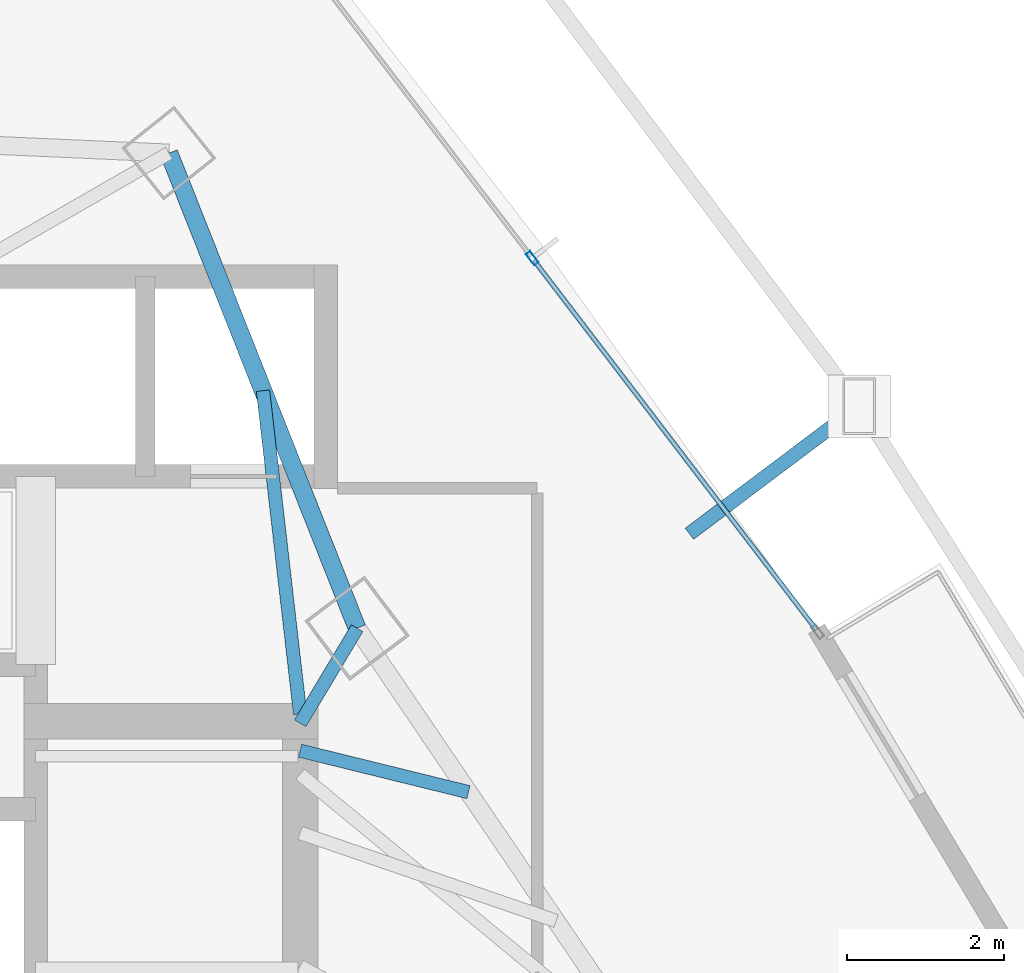
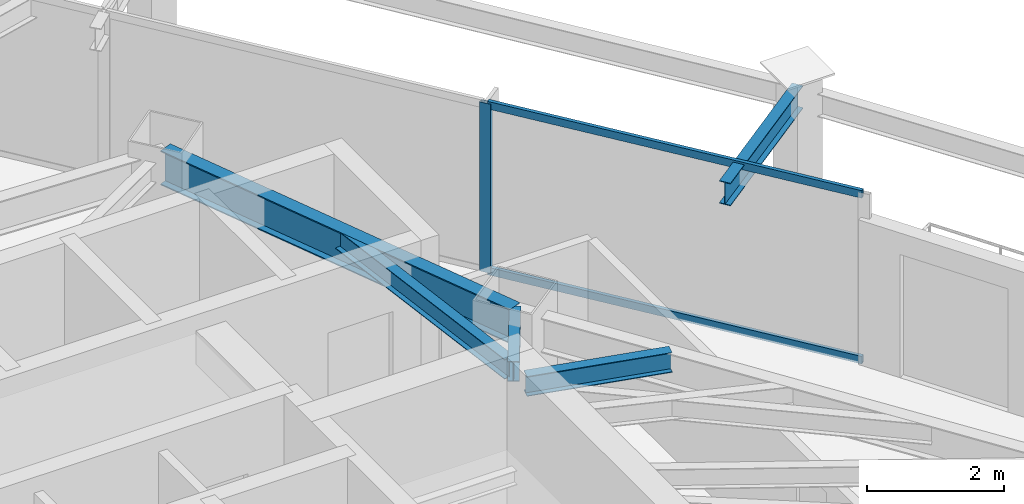
# One storey, part 24 of 33: 5 beams, 3 members, 1 element without a shape of its own.
"""IFC4 building model written with IfcOpenShell, lengths in metres."""

from ifc_helpers import new_model, si_unit, direction, frame, origin, origin_2d, place, context, subcontext, project, spatial, hollow_rectangle, i_section, extrude, material, layer, layer_set, material_profile, profile_set, type_object, element, aggregate, save


model = new_model("IFC4")

# Units and contexts
model_context = context("Model", 3, precision=1e-05, world=origin(), true_north=direction((0.0, 1.0)))
body_context = subcontext(model_context, "Body", "Model", "MODEL_VIEW")
ifc_project = project(units=[si_unit("LENGTHUNIT", "METRE"), si_unit("AREAUNIT", "SQUARE_METRE"), si_unit("VOLUMEUNIT", "CUBIC_METRE"), si_unit("PLANEANGLEUNIT", "RADIAN"), si_unit("MASSUNIT", "GRAM", prefix="KILO")], contexts=[model_context])

# Site, building, storey
site_placement = place(None, origin())
site = spatial("IfcSite", under=ifc_project, at=site_placement, CompositionType="ELEMENT")
building_placement = place(site_placement, origin())
building = spatial("IfcBuilding", under=site, at=building_placement, Name="Orvanel Arch Residences", CompositionType="ELEMENT")
storey_placement = place(building_placement, frame((0.0, 0.0, 93.949951171875)))
storey = spatial("IfcBuildingStorey", under=building, at=storey_placement, Name="L26", CompositionType="ELEMENT", Elevation=93.949951171875)

# Beams
ifc_material_1 = material(Name="Structural steel AS/NZS 3679.1 Grade 300 (300 MPa)", Category="steel")
ifc_material_profile_1 = material_profile(ifc_material_1, i_section(OverallWidth=0.1708984375, OverallDepth=0.35595703125, WebThickness=0.00732421875, FlangeThickness=0.011474609375, at=origin_2d()), Name="360UB50.7")
ifc_profile_set_1 = profile_set([ifc_material_profile_1], Name="Structural steel AS/NZS 3679.1 Grade 300 (300 MPa)")
beam_type_1 = type_object("IfcBeamType", Name="BJ-360UB", PredefinedType="JOIST", material=ifc_profile_set_1)
beam_1_placement = place(storey_placement, frame((39.625, 33.89990234375, 2.842041015625), z_axis=(0.514064138778, 0.857751748015, 0.0), x_axis=(-0.857751748015, 0.514064138778, 0.0)))
element("IfcBeam", 1, at=beam_1_placement, inside=storey, type_object=beam_type_1, Name="L26 NNE Wing Floor Joist", PredefinedType="JOIST", context=body_context, shape_type="SweptSolid", body=[
    extrude(i_section(OverallWidth=0.1708984375, OverallDepth=0.35595703125, WebThickness=0.00732421875, FlangeThickness=0.011474609375, at=origin_2d()), origin(), (0.0, 0.0, 1.0), 1.414306640625),
])
beam_2_placement = place(storey_placement, frame((39.625, 34.02001953125, 2.842041015625), z_axis=(-0.114186670431, 0.993459311847, 0.0), x_axis=(-0.993459311847, -0.114186670431, 0.0)))
element("IfcBeam", 2, at=beam_2_placement, inside=storey, type_object=beam_type_1, Name="L26 NNE2 Wing Floor Joist", PredefinedType="JOIST", context=body_context, shape_type="SweptSolid", body=[
    extrude(i_section(OverallWidth=0.1708984375, OverallDepth=0.35595703125, WebThickness=0.00732421875, FlangeThickness=0.011474609375, at=origin_2d()), origin(), (0.0, 0.0, 1.0), 4.152099609375),
])
beam_3_placement = place(storey_placement, frame((39.625, 33.550048828125, 2.842041015625), z_axis=(0.971005818547, -0.239055851942, 0.0), x_axis=(0.239055851942, 0.971005818547, 0.0)))
element("IfcBeam", 3, at=beam_3_placement, inside=storey, type_object=beam_type_1, Name="L26 JADD4 Wing Floor Joist", PredefinedType="JOIST", context=body_context, shape_type="SweptSolid", body=[
    extrude(i_section(OverallWidth=0.1708984375, OverallDepth=0.35595703125, WebThickness=0.00732421875, FlangeThickness=0.011474609375, at=origin_2d()), origin(), (0.0, 0.0, 1.0), 2.213134765625),
])

# Curtain wall, member
ifc_material_2 = material(Name="Bronze-anodised aluminium AA6063-T6", Category="aluminium")
ifc_layer = layer(ifc_material_2, 0.179931640625)
ifc_layer_set = layer_set([ifc_layer], Name="Bronze-anodised aluminium AA6063-T6")
curtain_wall_type = type_object("IfcCurtainWallType", Name="CW2-LOW-SYS", PredefinedType="NOTDEFINED", material=ifc_layer_set)
curtain_wall_placement = place(storey_placement, origin())
curtain_wall = element("IfcCurtainWall", 4, at=curtain_wall_placement, inside=storey, type_object=curtain_wall_type, Name="L26 CW2-LOW-SYS Unitised Curtain Wall", PredefinedType="NOTDEFINED")
ifc_material_profile_2 = material_profile(ifc_material_2, hollow_rectangle(XDim=0.070068359375, YDim=0.179931640625, WallThickness=0.00439453125, at=origin_2d()), Name="ALU180x70x4.5")
ifc_profile_set_2 = profile_set([ifc_material_profile_2], Name="Bronze-anodised aluminium AA6063-T6")
member_type_1 = type_object("IfcMemberType", Name="MUL-180x70", PredefinedType="MULLION", material=ifc_profile_set_2)
member_1_placement = place(storey_placement, frame((42.587890625, 39.836669921875, 0.0), z_axis=(0.0, 0.0, 1.0), x_axis=(-0.794440878404, -0.607341494318, 0.0)))
member_1 = element("IfcMember", 5, at=member_1_placement, type_object=member_type_1, Name="CW-S2 mullion 2", PredefinedType="MULLION", context=body_context, shape_type="SweptSolid", body=[
    extrude(hollow_rectangle(XDim=0.070068359375, YDim=0.179931640625, WallThickness=0.00439453125, at=origin_2d()), origin(), (0.0, 0.0, 1.0), 3.02001953125),
])

# Beams
ifc_material_profile_3 = material_profile(ifc_material_1, i_section(OverallWidth=0.177978515625, OverallDepth=0.406005859375, WebThickness=0.0078125, FlangeThickness=0.0126953125, at=origin_2d()), Name="410UB59.7")
ifc_profile_set_3 = profile_set([ifc_material_profile_3], Name="Structural steel AS/NZS 3679.1 Grade 300 (300 MPa)")
beam_type_2 = type_object("IfcBeamType", Name="OB-410UB-EXT", PredefinedType="SPANDREL", material=ifc_profile_set_3)
beam_4_placement = place(storey_placement, frame((44.593017578125, 36.319091796875, 2.817138671875), z_axis=(0.799481118844, 0.600691219023, 0.0), x_axis=(-0.600691219023, 0.799481118844, 0.0)))
element("IfcBeam", 6, at=beam_4_placement, inside=storey, type_object=beam_type_2, Name="L26 Outer Frame Radial Tie Beam 11", PredefinedType="SPANDREL", context=body_context, shape_type="SweptSolid", body=[
    extrude(i_section(OverallWidth=0.177978515625, OverallDepth=0.406005859375, WebThickness=0.0078125, FlangeThickness=0.0126953125, at=origin_2d()), origin(), (0.0, 0.0, 1.0), 2.711669921875),
])
ifc_material_profile_4 = material_profile(ifc_material_1, i_section(OverallWidth=0.22900390625, OverallDepth=0.612060546875, WebThickness=0.011962890625, FlangeThickness=0.01953125, at=origin_2d()), Name="610UB125")
ifc_profile_set_4 = profile_set([ifc_material_profile_4], Name="Structural steel AS/NZS 3679.1 Grade 300 (300 MPa)")
beam_type_3 = type_object("IfcBeamType", Name="SP-610UB", PredefinedType="SPANDREL", material=ifc_profile_set_4)
beam_5_placement = place(storey_placement, frame((40.35205078125, 35.113037109375, 2.714111328125), z_axis=(-0.368233143579, 0.929733484376, 0.0), x_axis=(-0.929733484376, -0.368233143579, 0.0)))
element("IfcBeam", 7, at=beam_5_placement, inside=storey, type_object=beam_type_3, Name="L26 Perimeter Spandrel Beam 15", PredefinedType="SPANDREL", context=body_context, shape_type="SweptSolid", body=[
    extrude(i_section(OverallWidth=0.22900390625, OverallDepth=0.612060546875, WebThickness=0.011962890625, FlangeThickness=0.01953125, at=origin_2d()), origin(), (0.0, 0.0, 1.0), 6.523193359375),
])

# Member
ifc_material_profile_5 = material_profile(ifc_material_2, hollow_rectangle(XDim=0.06005859375, YDim=0.135009765625, WallThickness=0.00390625, at=origin_2d()), Name="ALU135x60x4")
ifc_profile_set_5 = profile_set([ifc_material_profile_5], Name="Bronze-anodised aluminium AA6063-T6")
member_type_2 = type_object("IfcMemberType", Name="TRN-135x60", PredefinedType="USERDEFINED", material=ifc_profile_set_5)
member_2_placement = place(storey_placement, frame((46.21240234375, 35.095703125, 0.030029296875), z_axis=(-0.607329428327, 0.794450102579, 0.0), x_axis=(-0.794450102579, -0.607329428327, 0.0)))
member_2 = element("IfcMember", 8, at=member_2_placement, type_object=member_type_2, Name="CW-S2 transom 1.1", ObjectType="TRANSOM", PredefinedType="USERDEFINED", context=body_context, shape_type="SweptSolid", body=[
    extrude(hollow_rectangle(XDim=0.06005859375, YDim=0.135009765625, WallThickness=0.00390625, at=origin_2d()), origin(), (0.0, 0.0, 1.0), 5.9326171875),
])

member_3_placement = place(storey_placement, frame((46.21240234375, 35.095703125, 2.989990234375), z_axis=(-0.607329428327, 0.794450102579, 0.0), x_axis=(-0.794450102579, -0.607329428327, 0.0)))
member_3 = element("IfcMember", 9, at=member_3_placement, type_object=member_type_2, Name="CW-S2 transom 1.2", ObjectType="TRANSOM", PredefinedType="USERDEFINED", context=body_context, shape_type="SweptSolid", body=[
    extrude(hollow_rectangle(XDim=0.06005859375, YDim=0.135009765625, WallThickness=0.00390625, at=origin_2d()), origin(), (0.0, 0.0, 1.0), 5.9326171875),
])

aggregate(curtain_wall, [member_1, member_2, member_3])

save(model, "model.ifc")
